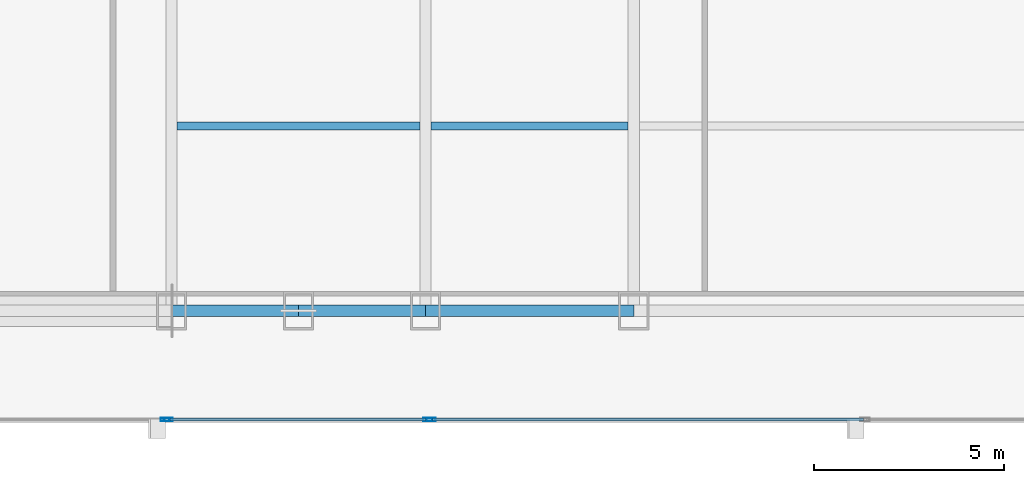
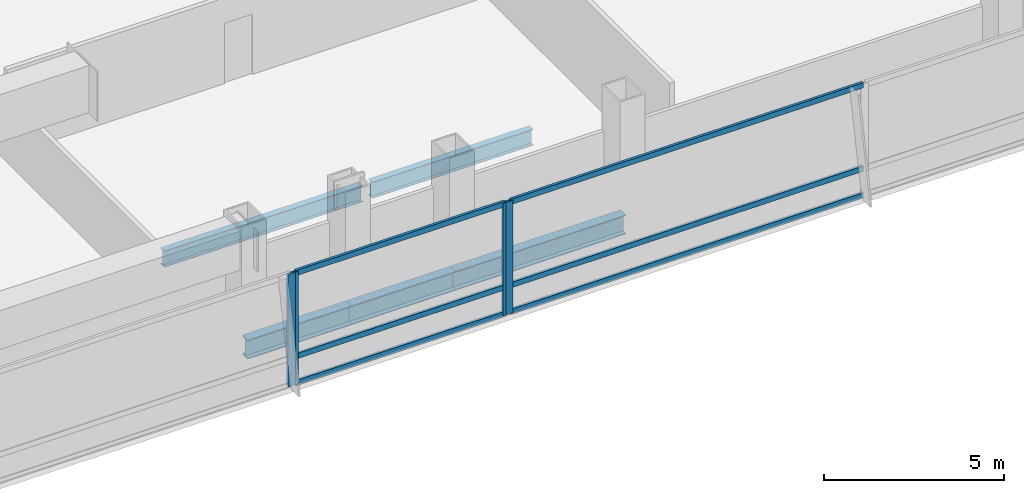
# One storey, part 7 of 32: 10 members, 5 beams, 3 elements without a shape of their own.
"""IFC4 building model written with IfcOpenShell, lengths in metres."""

from ifc_helpers import new_model, si_unit, direction, frame, origin, origin_2d, place, context, subcontext, project, spatial, hollow_rectangle, i_section, extrude, material, material_profile, profile_set, type_object, element, aggregate, save


model = new_model("IFC4")

# Units and contexts
model_context = context("Model", 3, precision=1e-05, world=origin(), true_north=direction((0.0, 1.0)))
body_context = subcontext(model_context, "Body", "Model", "MODEL_VIEW")
ifc_project = project(units=[si_unit("LENGTHUNIT", "METRE"), si_unit("AREAUNIT", "SQUARE_METRE"), si_unit("VOLUMEUNIT", "CUBIC_METRE"), si_unit("PLANEANGLEUNIT", "RADIAN"), si_unit("MASSUNIT", "GRAM", prefix="KILO")], contexts=[model_context])

# Site, building, storey
site_placement = place(None, origin())
site = spatial("IfcSite", under=ifc_project, at=site_placement, CompositionType="ELEMENT")
building_placement = place(site_placement, origin())
building = spatial("IfcBuilding", under=site, at=building_placement, Name="Khoronbel Lancet Exchange", CompositionType="ELEMENT")
storey_placement = place(building_placement, frame((0.0, 0.0, 77.800048828125)))
storey = spatial("IfcBuildingStorey", under=building, at=storey_placement, Name="L18", CompositionType="ELEMENT", Elevation=77.800048828125)

# Beams
ifc_material_1 = material(Name="Steel S355", Category="steel")
ifc_material_profile_1 = material_profile(ifc_material_1, i_section(OverallWidth=0.2099609375, OverallDepth=0.550048828125, WebThickness=0.010986328125, FlangeThickness=0.01708984375, at=origin_2d()), Name="IPE 550")
ifc_profile_set_1 = profile_set([ifc_material_profile_1], Name="Steel S355")
beam_type_1 = type_object("IfcBeamType", Name="BM-BJ2", PredefinedType="JOIST", material=ifc_profile_set_1)
beam_1_placement = place(storey_placement, frame((18.375, 15.0, -0.455078125), z_axis=(1.0, 0.0, 0.0), x_axis=(0.0, 1.0, 0.0)))
element("IfcBeam", 1, at=beam_1_placement, inside=storey, type_object=beam_type_1, Name="Level L18 secondary composite joist J01", PredefinedType="JOIST", context=body_context, shape_type="SweptSolid", body=[
    extrude(i_section(OverallWidth=0.2099609375, OverallDepth=0.550048828125, WebThickness=0.010986328125, FlangeThickness=0.01708984375, at=origin_2d()), origin(), (0.0, 0.0, 1.0), 6.375),
])
beam_2_placement = place(storey_placement, frame((25.050048828125, 15.0, -0.455078125), z_axis=(1.0, 0.0, 0.0), x_axis=(0.0, 1.0, 0.0)))
element("IfcBeam", 2, at=beam_2_placement, inside=storey, type_object=beam_type_1, Name="Level L18 secondary composite joist J02", PredefinedType="JOIST", context=body_context, shape_type="SweptSolid", body=[
    extrude(i_section(OverallWidth=0.2099609375, OverallDepth=0.550048828125, WebThickness=0.010986328125, FlangeThickness=0.01708984375, at=origin_2d()), origin(), (0.0, 0.0, 1.0), 5.175048828125),
])
ifc_material_profile_2 = material_profile(ifc_material_1, i_section(OverallWidth=0.300048828125, OverallDepth=0.64990234375, WebThickness=0.01611328125, FlangeThickness=0.031005859375, at=origin_2d()), Name="HEB 650")
ifc_profile_set_2 = profile_set([ifc_material_profile_2], Name="Steel S355")
beam_type_2 = type_object("IfcBeamType", Name="BM-BSP1", PredefinedType="SPANDREL", material=ifc_profile_set_2)
for number, where, z_axis, x_axis, name in (
    (3, (18.22509765625, 10.14990234375, -0.505126953125), (1.0, 0.0, 0.0), (0.0, 1.0, 0.0), "Level L18 perimeter spandrel beam SP02"),
    (4, (21.5625, 10.14990234375, -0.505126953125), (1.0, 0.0, 0.0), (0.0, 1.0, 0.0), "Level L18 perimeter spandrel beam SP03"),
):
    element("IfcBeam", number, at=place(storey_placement, frame(where, z_axis=z_axis, x_axis=x_axis)), inside=storey, type_object=beam_type_2, Name=name, PredefinedType="SPANDREL", context=body_context, shape_type="SweptSolid", body=[
        extrude(i_section(OverallWidth=0.300048828125, OverallDepth=0.64990234375, WebThickness=0.01611328125, FlangeThickness=0.031005859375, at=origin_2d()), origin(), (0.0, 0.0, 1.0), 3.33740234375),
    ])
beam_3_placement = place(storey_placement, frame((24.89990234375, 10.14990234375, -0.505126953125), z_axis=(1.0, 0.0, 0.0), x_axis=(0.0, 1.0, 0.0)))
element("IfcBeam", 5, at=beam_3_placement, inside=storey, type_object=beam_type_2, Name="Level L18 perimeter spandrel beam SP04", PredefinedType="SPANDREL", context=body_context, shape_type="SweptSolid", body=[
    extrude(i_section(OverallWidth=0.300048828125, OverallDepth=0.64990234375, WebThickness=0.01611328125, FlangeThickness=0.031005859375, at=origin_2d()), origin(), (0.0, 0.0, 1.0), 5.47509765625),
])

# Curtain wall, member
ifc_material_2 = material(Name="Low-E Solar Control Insulating Glass", Category="glass")
curtain_wall_type = type_object("IfcCurtainWallType", Name="CW-1", PredefinedType="NOTDEFINED", material=ifc_material_2)
curtain_wall_1_placement = place(storey_placement, origin())
curtain_wall_1 = element("IfcCurtainWall", 6, at=curtain_wall_1_placement, inside=storey, type_object=curtain_wall_type, Name="Unitised curtain wall CW-L18-SWV", PredefinedType="NOTDEFINED")
ifc_material_3 = material(Name="Bronze-Anodised Aluminium 6063-T6", Category="aluminium")
ifc_material_profile_3 = material_profile(ifc_material_3, hollow_rectangle(XDim=0.0849609375, YDim=0.239990234375, WallThickness=0.006103515625, at=origin_2d()), Name="ALU MULLION 85x240")
ifc_profile_set_3 = profile_set([ifc_material_profile_3], Name="Bronze-Anodised Aluminium 6063-T6")
member_type_1 = type_object("IfcMemberType", Name="MEM-CWM1", PredefinedType="MULLION", material=ifc_profile_set_3)
member_1_placement = place(storey_placement, frame((18.0576171875, 7.2900390625, 0.0), z_axis=(0.0, 0.0, 1.0), x_axis=(0.0, 1.0, 0.0)))
member_1 = element("IfcMember", 7, at=member_1_placement, type_object=member_type_1, Name="CW1 mullion 2", PredefinedType="MULLION", context=body_context, shape_type="SweptSolid", body=[
    extrude(hollow_rectangle(XDim=0.0849609375, YDim=0.239990234375, WallThickness=0.006103515625, at=origin_2d()), origin(), (0.0, 0.0, 1.0), 3.820068359375),
])
aggregate(curtain_wall_1, [member_1])

# Curtain wall, members
curtain_wall_2_placement = place(storey_placement, origin())
curtain_wall_2 = element("IfcCurtainWall", 8, at=curtain_wall_2_placement, inside=storey, type_object=curtain_wall_type, Name="Unitised curtain wall CW-L18-SWB", PredefinedType="NOTDEFINED")
member_2_placement = place(storey_placement, frame((18.142578125, 7.2900390625, 0.0), z_axis=(0.0, 0.0, 1.0), x_axis=(0.0, 1.0, 0.0)))
member_2 = element("IfcMember", 9, at=member_2_placement, type_object=member_type_1, Name="CW1 mullion 1", PredefinedType="MULLION", context=body_context, shape_type="SweptSolid", body=[
    extrude(hollow_rectangle(XDim=0.0849609375, YDim=0.239990234375, WallThickness=0.006103515625, at=origin_2d()), origin(), (0.0, 0.0, 1.0), 3.820068359375),
])
member_3_placement = place(storey_placement, frame((24.95751953125, 7.2900390625, 0.0), z_axis=(0.0, 0.0, 1.0), x_axis=(0.0, 1.0, 0.0)))
member_3 = element("IfcMember", 10, at=member_3_placement, type_object=member_type_1, Name="CW1 mullion 2", PredefinedType="MULLION", context=body_context, shape_type="SweptSolid", body=[
    extrude(hollow_rectangle(XDim=0.0849609375, YDim=0.239990234375, WallThickness=0.006103515625, at=origin_2d()), origin(), (0.0, 0.0, 1.0), 3.820068359375),
])

# Curtain wall, member
curtain_wall_3_placement = place(storey_placement, origin())
curtain_wall_3 = element("IfcCurtainWall", 11, at=curtain_wall_3_placement, inside=storey, type_object=curtain_wall_type, Name="Unitised curtain wall CW-L18-SCV", PredefinedType="NOTDEFINED")
member_4_placement = place(storey_placement, frame((25.04248046875, 7.2900390625, 0.0), z_axis=(0.0, 0.0, 1.0), x_axis=(0.0, 1.0, 0.0)))
member_4 = element("IfcMember", 12, at=member_4_placement, type_object=member_type_1, Name="CW1 mullion 1", PredefinedType="MULLION", context=body_context, shape_type="SweptSolid", body=[
    extrude(hollow_rectangle(XDim=0.0849609375, YDim=0.239990234375, WallThickness=0.006103515625, at=origin_2d()), origin(), (0.0, 0.0, 1.0), 3.820068359375),
])

# Member
ifc_material_profile_4 = material_profile(ifc_material_3, hollow_rectangle(XDim=0.0849609375, YDim=0.179931640625, WallThickness=0.0048828125, at=origin_2d()), Name="ALU TRANSOM 85x180")
ifc_profile_set_4 = profile_set([ifc_material_profile_4], Name="Bronze-Anodised Aluminium 6063-T6")
member_type_2 = type_object("IfcMemberType", Name="MEM-CWT1", PredefinedType="USERDEFINED", material=ifc_profile_set_4)
member_5_placement = place(storey_placement, frame((18.18505859375, 7.2900390625, 0.04248046875), z_axis=(1.0, 0.0, 0.0), x_axis=(0.0, 1.0, 0.0)))
member_5 = element("IfcMember", 13, at=member_5_placement, type_object=member_type_2, Name="CW1 transom 1.1", ObjectType="TRANSOM", PredefinedType="USERDEFINED", context=body_context, shape_type="SweptSolid", body=[
    extrude(hollow_rectangle(XDim=0.0849609375, YDim=0.179931640625, WallThickness=0.0048828125, at=origin_2d()), origin(), (0.0, 0.0, 1.0), 6.72998046875),
])

member_6_placement = place(storey_placement, frame((18.18505859375, 7.2900390625, 0.949951171875), z_axis=(1.0, 0.0, 0.0), x_axis=(0.0, 1.0, 0.0)))
member_6 = element("IfcMember", 14, at=member_6_placement, type_object=member_type_2, Name="CW1 transom 1.2", ObjectType="TRANSOM", PredefinedType="USERDEFINED", context=body_context, shape_type="SweptSolid", body=[
    extrude(hollow_rectangle(XDim=0.0849609375, YDim=0.179931640625, WallThickness=0.0048828125, at=origin_2d()), origin(), (0.0, 0.0, 1.0), 6.72998046875),
])

member_7_placement = place(storey_placement, frame((18.18505859375, 7.2900390625, 3.77734375), z_axis=(1.0, 0.0, 0.0), x_axis=(0.0, 1.0, 0.0)))
member_7 = element("IfcMember", 15, at=member_7_placement, type_object=member_type_2, Name="CW1 transom 1.3", ObjectType="TRANSOM", PredefinedType="USERDEFINED", context=body_context, shape_type="SweptSolid", body=[
    extrude(hollow_rectangle(XDim=0.0849609375, YDim=0.179931640625, WallThickness=0.0048828125, at=origin_2d()), origin(), (0.0, 0.0, 1.0), 6.72998046875),
])

aggregate(curtain_wall_2, [member_2, member_3, member_5, member_6, member_7])

member_8_placement = place(storey_placement, frame((25.0849609375, 7.2900390625, 0.04248046875), z_axis=(1.0, 0.0, 0.0), x_axis=(0.0, 1.0, 0.0)))
member_8 = element("IfcMember", 16, at=member_8_placement, type_object=member_type_2, Name="CW1 transom 1.1", ObjectType="TRANSOM", PredefinedType="USERDEFINED", context=body_context, shape_type="SweptSolid", body=[
    extrude(hollow_rectangle(XDim=0.0849609375, YDim=0.179931640625, WallThickness=0.0048828125, at=origin_2d()), origin(), (0.0, 0.0, 1.0), 11.322509765625),
])

member_9_placement = place(storey_placement, frame((25.0849609375, 7.2900390625, 0.949951171875), z_axis=(1.0, 0.0, 0.0), x_axis=(0.0, 1.0, 0.0)))
member_9 = element("IfcMember", 17, at=member_9_placement, type_object=member_type_2, Name="CW1 transom 1.2", ObjectType="TRANSOM", PredefinedType="USERDEFINED", context=body_context, shape_type="SweptSolid", body=[
    extrude(hollow_rectangle(XDim=0.0849609375, YDim=0.179931640625, WallThickness=0.0048828125, at=origin_2d()), origin(), (0.0, 0.0, 1.0), 11.322509765625),
])

member_10_placement = place(storey_placement, frame((25.0849609375, 7.2900390625, 3.77734375), z_axis=(1.0, 0.0, 0.0), x_axis=(0.0, 1.0, 0.0)))
member_10 = element("IfcMember", 18, at=member_10_placement, type_object=member_type_2, Name="CW1 transom 1.3", ObjectType="TRANSOM", PredefinedType="USERDEFINED", context=body_context, shape_type="SweptSolid", body=[
    extrude(hollow_rectangle(XDim=0.0849609375, YDim=0.179931640625, WallThickness=0.0048828125, at=origin_2d()), origin(), (0.0, 0.0, 1.0), 11.322509765625),
])

aggregate(curtain_wall_3, [member_4, member_8, member_9, member_10])

save(model, "model.ifc")
